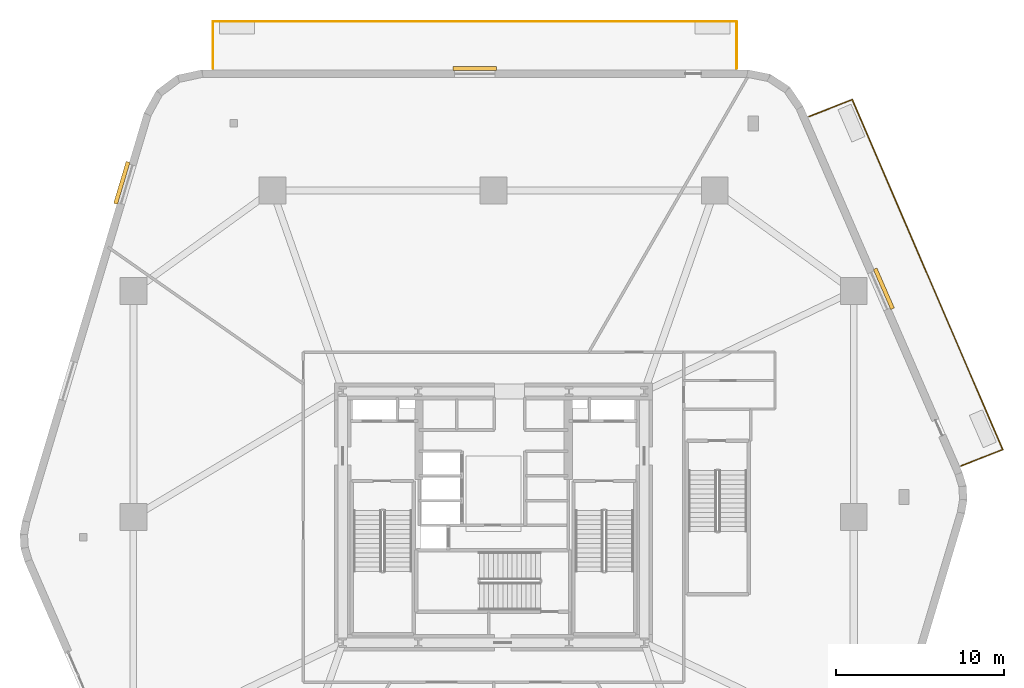
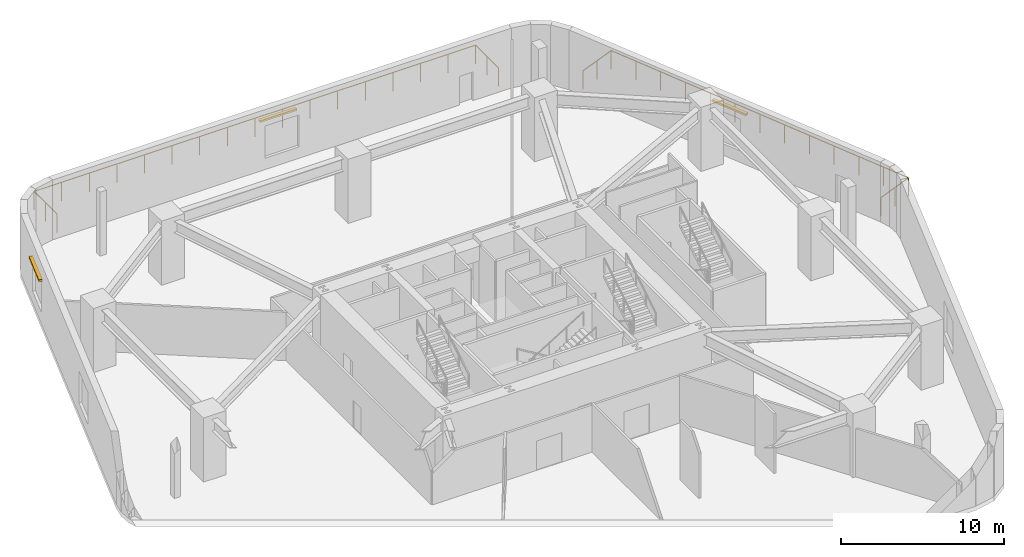
# One storey, part 17 of 17: 3 shading devices, 2 railings.
"""IFC4 building model written with IfcOpenShell, lengths in metres."""

from ifc_helpers import new_model, si_unit, direction, frame, origin, origin_2d, place, context, subcontext, project, spatial, rectangle, extrude, material, layer, layer_set, type_object, element, save


model = new_model("IFC4")

# Units and contexts
model_context = context("Model", 3, precision=1e-05, world=origin(), true_north=direction((0.0, 1.0)))
body_context = subcontext(model_context, "Body", "Model", "MODEL_VIEW")
ifc_project = project(units=[si_unit("LENGTHUNIT", "METRE"), si_unit("AREAUNIT", "SQUARE_METRE"), si_unit("VOLUMEUNIT", "CUBIC_METRE"), si_unit("PLANEANGLEUNIT", "RADIAN"), si_unit("MASSUNIT", "GRAM", prefix="KILO")], contexts=[model_context])

# Site, building, storey
site_placement = place(None, origin())
site = spatial("IfcSite", under=ifc_project, at=site_placement, CompositionType="ELEMENT")
building_placement = place(site_placement, origin())
building = spatial("IfcBuilding", under=site, at=building_placement, Name="Kilnhurst Terrace Hotel", CompositionType="ELEMENT")
storey_placement = place(building_placement, frame((0.0, 0.0, 18.60009765625)))
storey = spatial("IfcBuildingStorey", under=building, at=storey_placement, Name="L03", CompositionType="ELEMENT", Elevation=18.60009765625)

# Railings
ifc_material_1 = material(Name="Laminated SentryGlas and Stainless Steel AISI 316L Balustrade", Category="steel")
ifc_layer_1 = layer(ifc_material_1, 0.070068359375, Name="Laminated SentryGlas and Stainless Steel AISI 316L Balustrade")
ifc_layer_set_1 = layer_set([ifc_layer_1], Name="Laminated SentryGlas and Stainless Steel AISI 316L Balustrade")
railing_type = type_object("IfcRailingType", Name="RLG-BAL-1420", PredefinedType="BALUSTRADE", material=ifc_layer_set_1)
railing_1_placement = place(storey_placement, frame((18.827880859375, 23.910400390625, 0.0)))
element("IfcRailing", 1, at=railing_1_placement, inside=storey, type_object=railing_type, Name="L03 Exterior Terrace Guardrail TERR-1.1", PredefinedType="BALUSTRADE", context=body_context, shape_type="SweptSolid", body=[
    extrude(rectangle(XDim=0.048095703125, YDim=0.048095703125, at=origin_2d()), frame((0.0, 0.0, 1.39599609375), z_axis=(0.930928000064, 0.365202763813, 0.0), x_axis=(-0.365202763813, 0.930928000064, 0.0)), (0.0, 0.0, 1.0), 2.772216796875),
    extrude(rectangle(XDim=0.048095703125, YDim=0.048095703125, at=origin_2d()), frame((2.580810546875, 1.012451171875, 1.39599609375), z_axis=(0.394968669096, -0.918694590401, 0.0), x_axis=(0.918694590401, 0.394968669096, 0.0)), (0.0, 0.0, 1.0), 22.738525390625),
    extrude(rectangle(XDim=0.048095703125, YDim=0.048095703125, at=origin_2d()), frame((11.561767578125, -19.877197265625, 1.39599609375), z_axis=(-0.930927612948, -0.365203750598, 0.0), x_axis=(0.365203750598, -0.930927612948, 0.0)), (0.0, 0.0, 1.0), 2.67724609375),
    extrude(rectangle(XDim=0.0419921875, YDim=0.0419921875, at=origin_2d()), origin(), (0.0, 0.0, 1.0), 1.371826171875),
    extrude(rectangle(XDim=0.0419921875, YDim=0.0419921875, at=origin_2d()), frame((1.29052734375, 0.50634765625, 0.0)), (0.0, 0.0, 1.0), 1.371826171875),
    extrude(rectangle(XDim=0.0419921875, YDim=0.0419921875, at=origin_2d()), frame((2.580810546875, 1.012451171875, 0.0)), (0.0, 0.0, 1.0), 1.371826171875),
    extrude(rectangle(XDim=0.0419921875, YDim=0.0419921875, at=origin_2d()), frame((3.3291015625, -0.728271484375, 0.0)), (0.0, 0.0, 1.0), 1.371826171875),
    extrude(rectangle(XDim=0.0419921875, YDim=0.0419921875, at=origin_2d()), frame((4.07763671875, -2.46923828125, 0.0)), (0.0, 0.0, 1.0), 1.371826171875),
    extrude(rectangle(XDim=0.0419921875, YDim=0.0419921875, at=origin_2d()), frame((4.826171875, -4.2099609375, 0.0)), (0.0, 0.0, 1.0), 1.371826171875),
    extrude(rectangle(XDim=0.0419921875, YDim=0.0419921875, at=origin_2d()), frame((5.574462890625, -5.95068359375, 0.0)), (0.0, 0.0, 1.0), 1.371826171875),
    extrude(rectangle(XDim=0.0419921875, YDim=0.0419921875, at=origin_2d()), frame((6.32275390625, -7.691650390625, 0.0)), (0.0, 0.0, 1.0), 1.371826171875),
    extrude(rectangle(XDim=0.0419921875, YDim=0.0419921875, at=origin_2d()), frame((7.0712890625, -9.432373046875, 0.0)), (0.0, 0.0, 1.0), 1.371826171875),
    extrude(rectangle(XDim=0.0419921875, YDim=0.0419921875, at=origin_2d()), frame((7.81982421875, -11.173095703125, 0.0)), (0.0, 0.0, 1.0), 1.371826171875),
    extrude(rectangle(XDim=0.0419921875, YDim=0.0419921875, at=origin_2d()), frame((8.568115234375, -12.9140625, 0.0)), (0.0, 0.0, 1.0), 1.371826171875),
    extrude(rectangle(XDim=0.0419921875, YDim=0.0419921875, at=origin_2d()), frame((9.31640625, -14.65478515625, 0.0)), (0.0, 0.0, 1.0), 1.371826171875),
    extrude(rectangle(XDim=0.0419921875, YDim=0.0419921875, at=origin_2d()), frame((10.06494140625, -16.3955078125, 0.0)), (0.0, 0.0, 1.0), 1.371826171875),
    extrude(rectangle(XDim=0.0419921875, YDim=0.0419921875, at=origin_2d()), frame((10.8134765625, -18.136474609375, 0.0)), (0.0, 0.0, 1.0), 1.371826171875),
    extrude(rectangle(XDim=0.0419921875, YDim=0.0419921875, at=origin_2d()), frame((11.561767578125, -19.877197265625, 0.0)), (0.0, 0.0, 1.0), 1.371826171875),
    extrude(rectangle(XDim=0.0419921875, YDim=0.0419921875, at=origin_2d()), frame((10.3154296875, -20.3662109375, 0.0)), (0.0, 0.0, 1.0), 1.371826171875),
    extrude(rectangle(XDim=0.0419921875, YDim=0.0419921875, at=origin_2d()), frame((9.0693359375, -20.85498046875, 0.0)), (0.0, 0.0, 1.0), 1.371826171875),
])
railing_2_placement = place(storey_placement, frame((-16.75, 26.780029296875, 0.0)))
element("IfcRailing", 2, at=railing_2_placement, inside=storey, type_object=railing_type, Name="L03 Exterior Terrace Guardrail TERR-2.1", PredefinedType="BALUSTRADE", context=body_context, shape_type="SweptSolid", body=[
    extrude(rectangle(XDim=0.048095703125, YDim=0.048095703125, at=origin_2d()), frame((0.0, 0.0, 1.39599609375), z_axis=(0.0, 1.0, 0.0), x_axis=(-1.0, 0.0, 0.0)), (0.0, 0.0, 1.0), 2.800048828125),
    extrude(rectangle(XDim=0.048095703125, YDim=0.048095703125, at=origin_2d()), frame((0.0, 2.800048828125, 1.39599609375), z_axis=(1.0, 0.0, 0.0), x_axis=(0.0, 1.0, 0.0)), (0.0, 0.0, 1.0), 31.25732421875),
    extrude(rectangle(XDim=0.048095703125, YDim=0.048095703125, at=origin_2d()), frame((31.25732421875, 2.800048828125, 1.39599609375), z_axis=(0.0, -1.0, 0.0), x_axis=(1.0, 0.0, 0.0)), (0.0, 0.0, 1.0), 2.800048828125),
    extrude(rectangle(XDim=0.0419921875, YDim=0.0419921875, at=origin_2d()), origin(), (0.0, 0.0, 1.0), 1.371826171875),
    extrude(rectangle(XDim=0.0419921875, YDim=0.0419921875, at=origin_2d()), frame((0.0, 1.39990234375, 0.0)), (0.0, 0.0, 1.0), 1.371826171875),
    extrude(rectangle(XDim=0.0419921875, YDim=0.0419921875, at=origin_2d()), frame((0.0, 2.800048828125, 0.0)), (0.0, 0.0, 1.0), 1.371826171875),
    extrude(rectangle(XDim=0.0419921875, YDim=0.0419921875, at=origin_2d()), frame((1.95361328125, 2.800048828125, 0.0)), (0.0, 0.0, 1.0), 1.371826171875),
    extrude(rectangle(XDim=0.0419921875, YDim=0.0419921875, at=origin_2d()), frame((3.9072265625, 2.800048828125, 0.0)), (0.0, 0.0, 1.0), 1.371826171875),
    extrude(rectangle(XDim=0.0419921875, YDim=0.0419921875, at=origin_2d()), frame((5.86083984375, 2.800048828125, 0.0)), (0.0, 0.0, 1.0), 1.371826171875),
    extrude(rectangle(XDim=0.0419921875, YDim=0.0419921875, at=origin_2d()), frame((7.814453125, 2.800048828125, 0.0)), (0.0, 0.0, 1.0), 1.371826171875),
    extrude(rectangle(XDim=0.0419921875, YDim=0.0419921875, at=origin_2d()), frame((9.767822265625, 2.800048828125, 0.0)), (0.0, 0.0, 1.0), 1.371826171875),
    extrude(rectangle(XDim=0.0419921875, YDim=0.0419921875, at=origin_2d()), frame((11.721435546875, 2.800048828125, 0.0)), (0.0, 0.0, 1.0), 1.371826171875),
    extrude(rectangle(XDim=0.0419921875, YDim=0.0419921875, at=origin_2d()), frame((13.675048828125, 2.800048828125, 0.0)), (0.0, 0.0, 1.0), 1.371826171875),
    extrude(rectangle(XDim=0.0419921875, YDim=0.0419921875, at=origin_2d()), frame((15.628662109375, 2.800048828125, 0.0)), (0.0, 0.0, 1.0), 1.371826171875),
    extrude(rectangle(XDim=0.0419921875, YDim=0.0419921875, at=origin_2d()), frame((17.582275390625, 2.800048828125, 0.0)), (0.0, 0.0, 1.0), 1.371826171875),
    extrude(rectangle(XDim=0.0419921875, YDim=0.0419921875, at=origin_2d()), frame((19.535888671875, 2.800048828125, 0.0)), (0.0, 0.0, 1.0), 1.371826171875),
    extrude(rectangle(XDim=0.0419921875, YDim=0.0419921875, at=origin_2d()), frame((21.489501953125, 2.800048828125, 0.0)), (0.0, 0.0, 1.0), 1.371826171875),
    extrude(rectangle(XDim=0.0419921875, YDim=0.0419921875, at=origin_2d()), frame((23.44287109375, 2.800048828125, 0.0)), (0.0, 0.0, 1.0), 1.371826171875),
    extrude(rectangle(XDim=0.0419921875, YDim=0.0419921875, at=origin_2d()), frame((25.396484375, 2.800048828125, 0.0)), (0.0, 0.0, 1.0), 1.371826171875),
    extrude(rectangle(XDim=0.0419921875, YDim=0.0419921875, at=origin_2d()), frame((27.35009765625, 2.800048828125, 0.0)), (0.0, 0.0, 1.0), 1.371826171875),
    extrude(rectangle(XDim=0.0419921875, YDim=0.0419921875, at=origin_2d()), frame((29.3037109375, 2.800048828125, 0.0)), (0.0, 0.0, 1.0), 1.371826171875),
    extrude(rectangle(XDim=0.0419921875, YDim=0.0419921875, at=origin_2d()), frame((31.25732421875, 2.800048828125, 0.0)), (0.0, 0.0, 1.0), 1.371826171875),
    extrude(rectangle(XDim=0.0419921875, YDim=0.0419921875, at=origin_2d()), frame((31.25732421875, 1.39990234375, 0.0)), (0.0, 0.0, 1.0), 1.371826171875),
    extrude(rectangle(XDim=0.0419921875, YDim=0.0419921875, at=origin_2d()), frame((31.25732421875, 0.0, 0.0)), (0.0, 0.0, 1.0), 1.371826171875),
])

# Shading devices
ifc_material_2 = material(Name="Terracotta Baguette Sunshade on Aluminium Alloy 6063-T6", Category="masonry")
ifc_layer_2 = layer(ifc_material_2, 0.199951171875, Name="Terracotta Baguette Sunshade on Aluminium Alloy 6063-T6")
ifc_layer_set_2 = layer_set([ifc_layer_2], Name="Terracotta Baguette Sunshade on Aluminium Alloy 6063-T6")
shading_device_type = type_object("IfcShadingDeviceType", Name="SHD-SUN-200", PredefinedType="JALOUSIE", material=ifc_layer_set_2)
for number, where, z_axis, x_axis, name in (
    (3, (23.29736328125, 13.6328125, 3.27978515625), (0.0, 0.0, 1.0), (-0.398797085532, 0.917039194676, 0.0), "L03 Terracotta Window Sunshade F3.1"),
    (4, (-1.120361328125, 26.780029296875, 3.27978515625), (0.0, 0.0, 1.0), (-1.0, 0.0, 0.0), "L03 Terracotta Window Sunshade F4.1"),
    (5, (-22.189453125, 19.954345703125, 3.27978515625), (0.0, 0.0, 1.0), (-0.286006143491, -0.958227783925, 0.0), "L03 Terracotta Window Sunshade F5.1"),
):
    element("IfcShadingDevice", number, at=place(storey_placement, frame(where, z_axis=z_axis, x_axis=x_axis)), inside=storey, type_object=shading_device_type, Name=name, PredefinedType="JALOUSIE", context=body_context, shape_type="SweptSolid", body=[
        extrude(rectangle(XDim=2.60009765625, YDim=0.239990234375, at=origin_2d()), origin(), (0.0, 0.0, 1.0), 0.139892578125),
    ])

save(model, "model.ifc")
